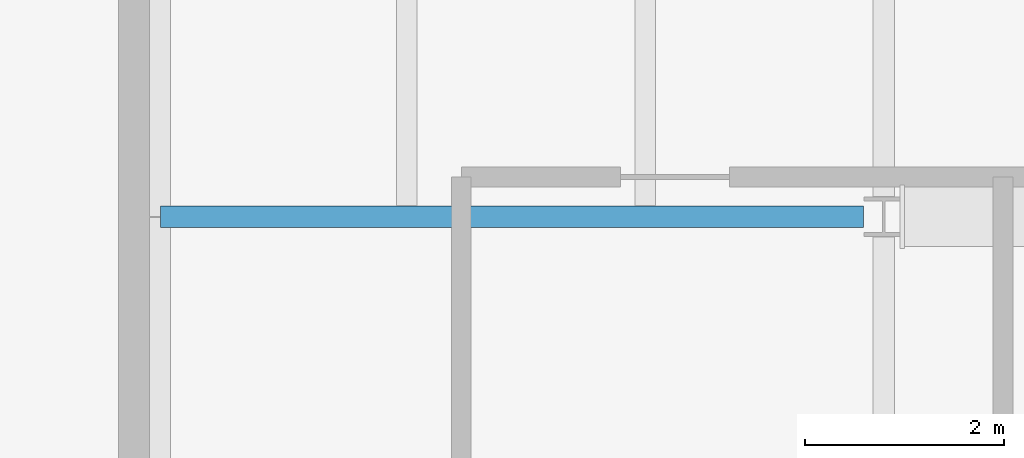
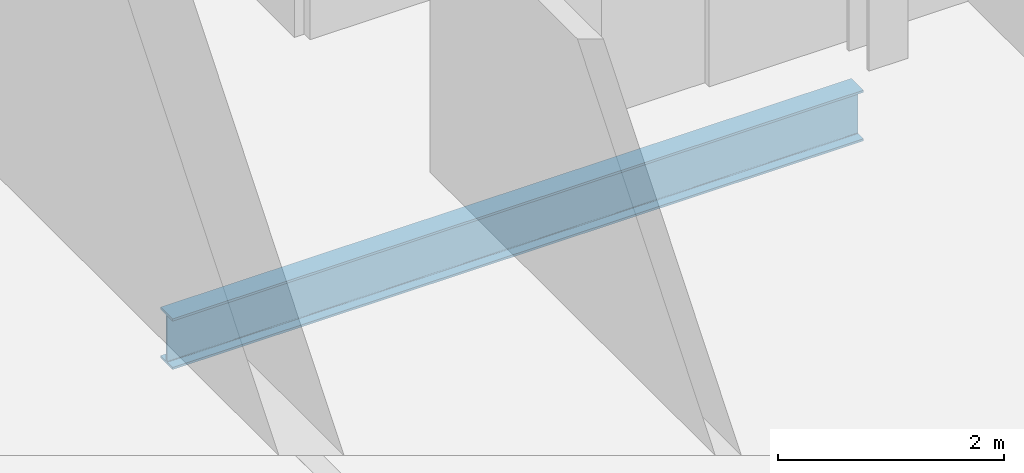
# One storey, part 5 of 16: 1 beam.
"""IFC4 building model written with IfcOpenShell, lengths in metres."""

from ifc_helpers import new_model, si_unit, direction, frame, origin, origin_2d, place, context, subcontext, project, spatial, i_section, extrude, material, material_profile, profile_set, type_object, element, save


model = new_model("IFC4")

# Units and contexts
model_context = context("Model", 3, precision=1e-05, world=origin(), true_north=direction((0.0, 1.0)))
body_context = subcontext(model_context, "Body", "Model", "MODEL_VIEW")
ifc_project = project(units=[si_unit("LENGTHUNIT", "METRE"), si_unit("AREAUNIT", "SQUARE_METRE"), si_unit("VOLUMEUNIT", "CUBIC_METRE"), si_unit("PLANEANGLEUNIT", "RADIAN"), si_unit("MASSUNIT", "GRAM", prefix="KILO")], contexts=[model_context])

# Site, building, storey
site_placement = place(None, origin())
site = spatial("IfcSite", under=ifc_project, at=site_placement, CompositionType="ELEMENT")
building_placement = place(site_placement, origin())
building = spatial("IfcBuilding", under=site, at=building_placement, Name="Cobrela Telecom Tower", CompositionType="ELEMENT")
storey_placement = place(building_placement, frame((0.0, 0.0, 293.64990234375)))
storey = spatial("IfcBuildingStorey", under=building, at=storey_placement, Name="L77", CompositionType="ELEMENT", Elevation=293.64990234375)

# Beam
ifc_material = material(Name="Steel ASTM A992 Grade 50", Category="steel")
ifc_material_profile = material_profile(ifc_material, i_section(OverallWidth=0.212890625, OverallDepth=0.549072265625, WebThickness=0.0146484375, FlangeThickness=0.023681640625, FilletRadius=0.013916015625, at=origin_2d()), Name="W21X93")
ifc_profile_set = profile_set([ifc_material_profile], Name="Steel ASTM A992 Grade 50")
beam_type = type_object("IfcBeamType", Name="BM-GIRD-08", PredefinedType="USERDEFINED", material=ifc_profile_set)
beam_placement = place(storey_placement, frame((14.324951171875, 14.39990234375, -0.534423828125), z_axis=(1.0, 0.0, 0.0), x_axis=(0.0, 1.0, 0.0)))
element("IfcBeam", 1, at=beam_placement, inside=storey, type_object=beam_type, Name="L77 Primary Girder X03", ObjectType="GIRDER", PredefinedType="USERDEFINED", context=body_context, shape_type="SweptSolid", body=[
    extrude(i_section(OverallWidth=0.212890625, OverallDepth=0.549072265625, WebThickness=0.0146484375, FlangeThickness=0.023681640625, FilletRadius=0.013916015625, at=origin_2d()), origin(), (0.0, 0.0, 1.0), 7.070556640625),
])

save(model, "model.ifc")
